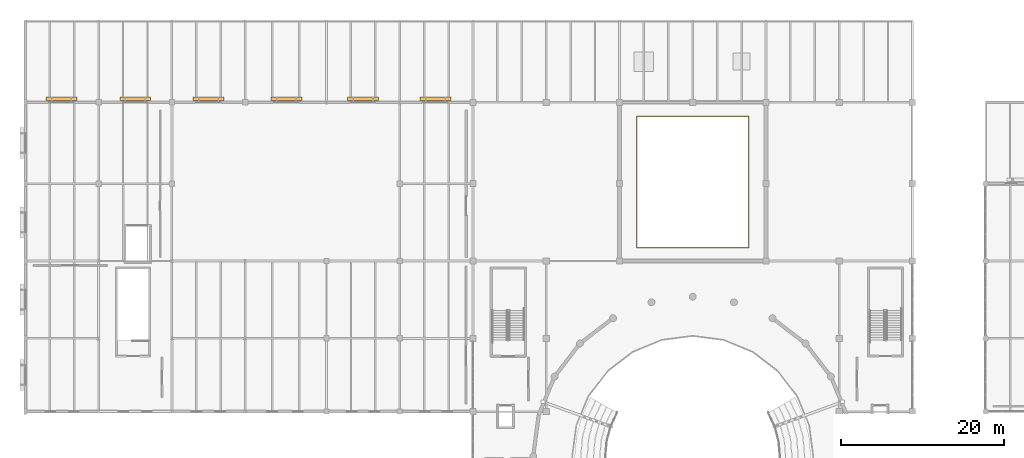
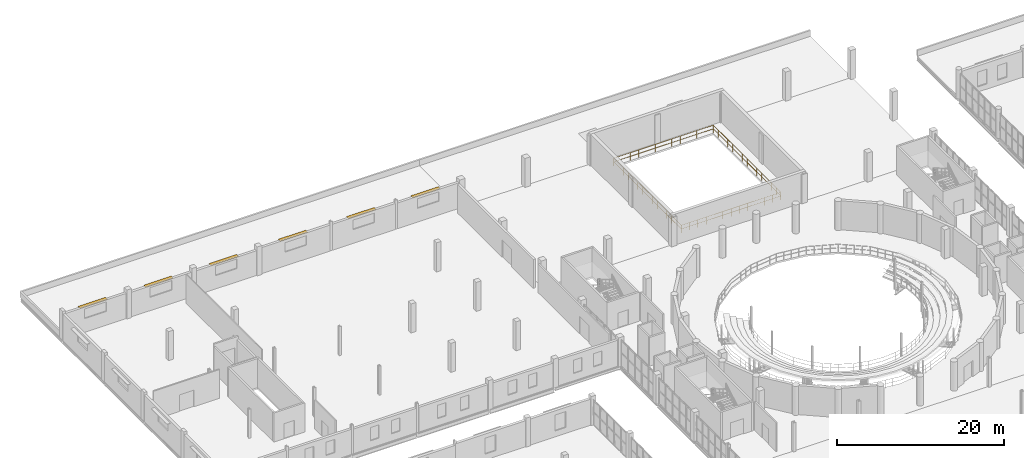
# One storey, part 82 of 85: 6 shading devices, 1 railing.
"""IFC4 building model written with IfcOpenShell, lengths in metres."""

import ifcopenshell
import ifcopenshell.guid

model = None  # the IFC model being written
_history = None  # IfcOwnerHistory: only IFC2X3 demands one
_inside = {}  # id of a spatial element -> (the spatial element, [elements in it])
_under = {}  # id of a project, library or spatial element -> (it, [spatial elements below it])
_declared = {}  # id of a project -> (the project, [libraries it declares])
_typed = {}  # id of a type object -> (the type object, [elements of that type])
_made_of = {}  # id of a material, layer set ... -> (it, [elements and type objects made of it])


def new_model(schema):
    """Start an empty IFC model of exactly this schema.

    Asked for "IFC4X3", IfcOpenShell would pick the latest addendum, in which some entities
    have other attributes; the version numbers below select the first issue.
    IFC2X3 requires an IfcOwnerHistory on every rooted entity: one is made here for all.
    """
    global model, _history
    if schema == "IFC4X3":
        model = ifcopenshell.file(schema_version=(4, 3, 0, 0))
    else:
        model = ifcopenshell.file(schema=schema)
    _inside.clear()
    _under.clear()
    _declared.clear()
    _typed.clear()
    _made_of.clear()
    _history = None
    if model.schema == "IFC2X3":
        org = make("IfcOrganization", Name="unknown")
        user = make(
            "IfcPersonAndOrganization",
            ThePerson=make("IfcPerson", FamilyName="unknown"),
            TheOrganization=org,
        )
        app = make(
            "IfcApplication",
            ApplicationDeveloper=org,
            Version="unknown",
            ApplicationFullName="unknown",
            ApplicationIdentifier="unknown",
        )
        _history = make(
            "IfcOwnerHistory",
            OwningUser=user,
            OwningApplication=app,
            ChangeAction="ADDED",
            CreationDate=0,
        )
    return model


def make(cls, **values):
    """One entity of the class cls with the attributes given. An attribute that is None is left unset."""
    return model.create_entity(
        cls, **{name: value for name, value in values.items() if value is not None}
    )


def rooted(cls, **values):
    """An entity with a GlobalId (a new one), such as an element, a storey or a relation."""
    return make(cls, GlobalId=ifcopenshell.guid.new(), OwnerHistory=_history, **values)


def si_unit(unit_type, name, prefix=None):
    """IfcSIUnit, for example si_unit("LENGTHUNIT", "METRE", prefix="MILLI")."""
    return make("IfcSIUnit", UnitType=unit_type, Prefix=prefix, Name=name)


def assignment(units):
    """IfcUnitAssignment: the units of a project."""
    return None if units is None else make("IfcUnitAssignment", Units=units)


def point(xyz):
    """IfcCartesianPoint."""
    return None if xyz is None else make("IfcCartesianPoint", Coordinates=xyz)


def direction(xyz):
    """IfcDirection."""
    return None if xyz is None else make("IfcDirection", DirectionRatios=xyz)


def frame(location, z_axis=None, x_axis=None):
    """IfcAxis2Placement3D, a coordinate frame: its origin and axes. An axis left out is left unset."""
    return make(
        "IfcAxis2Placement3D",
        Location=point(location),
        Axis=direction(z_axis),
        RefDirection=direction(x_axis),
    )


def frame_2d(location, x_axis=None):
    """IfcAxis2Placement2D, a coordinate frame in the plane: its origin and x axis."""
    return make(
        "IfcAxis2Placement2D", Location=point(location), RefDirection=direction(x_axis)
    )


def origin():
    """The frame at (0, 0, 0) with its axes left unset."""
    return frame((0.0, 0.0, 0.0))


def origin_2d():
    """The frame at (0, 0) in the plane with its x axis left unset."""
    return frame_2d((0.0, 0.0))


def place(relative_to, where):
    """IfcLocalPlacement: puts the frame where relative to a parent placement (None: the world)."""
    return make(
        "IfcLocalPlacement", PlacementRelTo=relative_to, RelativePlacement=where
    )


def context(
    kind, dimensions, precision=None, world=None, true_north=None, identifier=None
):
    """IfcGeometricRepresentationContext, for example the 3D "Model" context."""
    return make(
        "IfcGeometricRepresentationContext",
        ContextIdentifier=identifier,
        ContextType=kind,
        CoordinateSpaceDimension=dimensions,
        Precision=precision,
        WorldCoordinateSystem=world,
        TrueNorth=true_north,
    )


def subcontext(parent, identifier, kind, view, scale=None):
    """IfcGeometricRepresentationSubContext, for example "Body" below "Model"."""
    return make(
        "IfcGeometricRepresentationSubContext",
        ContextIdentifier=identifier,
        ContextType=kind,
        ParentContext=parent,
        TargetScale=scale,
        TargetView=view,
    )


def project(units=None, contexts=None):
    """IfcProject with its units and contexts."""
    return rooted(
        "IfcProject",
        Name="project",
        RepresentationContexts=contexts,
        UnitsInContext=assignment(units),
    )


def spatial(cls, under=None, at=None, **own):
    """A site, building, storey or space (cls), placed at a placement, below another one or the project."""
    s = rooted(cls, ObjectPlacement=at, **own)
    if under is not None:
        _under.setdefault(under.id(), (under, []))[1].append(s)
    return s


def profile(cls, at=None, kind="AREA", **sizes):
    """A parametric profile (cls). Its sizes go by their IFC names, for example OverallWidth=200.0."""
    return make(cls, ProfileType=kind, Position=at, **sizes)


def rectangle(**sizes):
    """IfcRectangleProfileDef."""
    return profile("IfcRectangleProfileDef", **sizes)


def circle(**sizes):
    """IfcCircleProfileDef."""
    return profile("IfcCircleProfileDef", **sizes)


def extrude(swept, where, along, depth):
    """IfcExtrudedAreaSolid: the profile swept, set in the frame where, extruded along a direction by depth."""
    return make(
        "IfcExtrudedAreaSolid",
        SweptArea=swept,
        Position=where,
        ExtrudedDirection=direction(along),
        Depth=depth,
    )


def shape(context_of_items, identifier, shape_type, items):
    """IfcShapeRepresentation: the items that make up one representation, for example the "Body"."""
    return make(
        "IfcShapeRepresentation",
        ContextOfItems=context_of_items,
        RepresentationIdentifier=identifier,
        RepresentationType=shape_type,
        Items=items,
    )


def material(Name=None, Category=None):
    """IfcMaterial."""
    return make("IfcMaterial", Name=Name, Category=Category)


def layer(
    of_material, thickness, ventilated=None, Name=None, Category=None, Priority=None
):
    """IfcMaterialLayer: one layer of a wall or slab, of a material (None: an air gap)."""
    return make(
        "IfcMaterialLayer",
        Material=of_material,
        LayerThickness=thickness,
        IsVentilated=ventilated,
        Name=Name,
        Category=Category,
        Priority=Priority,
    )


def layer_set(layers, Name=None):
    """IfcMaterialLayerSet."""
    return make("IfcMaterialLayerSet", MaterialLayers=layers, LayerSetName=Name)


def made_of(thing, what):
    """Note that an element or type object is made of a material, layer set ...; save() writes the relation."""
    if what is not None:
        _made_of.setdefault(what.id(), (what, []))[1].append(thing)
    return thing


def type_object(cls, material=None, **own):
    """A type object (cls), such as IfcWallType, which elements share."""
    return made_of(rooted(cls, **own), material)


def element(
    cls,
    number,
    at=None,
    inside=None,
    cuts=None,
    type_object=None,
    material=None,
    context=None,
    identifier="Body",
    shape_type=None,
    held_by="IfcProductDefinitionShape",
    body=None,
    shapes=None,
    **own,
):
    """One element of the class cls, such as IfcWall. Its Tag is "e" and its number.

    at: its placement. inside: the storey or other place that contains it. cuts: it is an
    opening in that element (IfcRelVoidsElement). A single representation is given by context,
    identifier, shape_type and body (its items); several are given by shapes. held_by: the class
    of the entity that holds the representations. save() writes the other relations.
    """
    e = rooted(cls, Tag="e%d" % number, ObjectPlacement=at, **own)
    if body is not None:
        shapes = [shape(context, identifier, shape_type, body)]
    if shapes is not None:
        e.Representation = make(held_by, Representations=shapes)
    if inside is not None:
        _inside.setdefault(inside.id(), (inside, []))[1].append(e)
    if cuts is not None:
        rooted(
            "IfcRelVoidsElement", RelatingBuildingElement=cuts, RelatedOpeningElement=e
        )
    if type_object is not None:
        _typed.setdefault(type_object.id(), (type_object, []))[1].append(e)
    return made_of(e, material)


def aggregate(whole, parts):
    """IfcRelAggregates: a whole, such as a stair, and the parts it consists of."""
    return rooted("IfcRelAggregates", RelatingObject=whole, RelatedObjects=parts)


def save(model, path):
    """Write the relations noted so far, then the file.

    IfcRelAggregates (storeys below a building ...), IfcRelContainedInSpatialStructure (elements
    in a storey), IfcRelDefinesByType, IfcRelAssociatesMaterial and IfcRelDeclares: one each for
    every whole, place, type object, material and project.
    """
    for whole, parts in _under.values():
        aggregate(whole, parts)
    for where, things in _inside.values():
        rooted(
            "IfcRelContainedInSpatialStructure",
            RelatedElements=things,
            RelatingStructure=where,
        )
    for kind, things in _typed.values():
        rooted("IfcRelDefinesByType", RelatedObjects=things, RelatingType=kind)
    for what, things in _made_of.values():
        rooted("IfcRelAssociatesMaterial", RelatedObjects=things, RelatingMaterial=what)
    for by, libraries in _declared.values():
        rooted("IfcRelDeclares", RelatingContext=by, RelatedDefinitions=libraries)
    model.write(path)


model = new_model("IFC4")

# Units and contexts
model_context = context("Model", 3, precision=1e-05, world=origin(), true_north=direction((0.0, 1.0)))
body_context = subcontext(model_context, "Body", "Model", "MODEL_VIEW")
ifc_project = project(units=[si_unit("LENGTHUNIT", "METRE"), si_unit("AREAUNIT", "SQUARE_METRE"), si_unit("VOLUMEUNIT", "CUBIC_METRE"), si_unit("PLANEANGLEUNIT", "RADIAN"), si_unit("MASSUNIT", "GRAM", prefix="KILO")], contexts=[model_context])

# Site, building, storey
site_placement = place(None, origin())
site = spatial("IfcSite", under=ifc_project, at=site_placement, CompositionType="ELEMENT")
building_placement = place(site_placement, origin())
building = spatial("IfcBuilding", under=site, at=building_placement, Name="Marnock Terrace Opera House", CompositionType="ELEMENT")
storey_placement = place(building_placement, frame((0.0, 0.0, 10.199951171875)))
storey = spatial("IfcBuildingStorey", under=building, at=storey_placement, Name="L02", CompositionType="ELEMENT", Elevation=10.199951171875)

# Railing
ifc_material_1 = material(Name="Architectural bronze balustrade")
railing_type = type_object("IfcRailingType", Name="RL-ATRIUM-1120", PredefinedType="BALUSTRADE", material=ifc_material_1)
railing_placement = place(storey_placement, frame((75.1201171875, 86.1201171875, 0.0)))
element("IfcRailing", 1, at=railing_placement, inside=storey, type_object=railing_type, Name="L02 floor opening balustrade FLY-VOID", PredefinedType="BALUSTRADE", context=body_context, shape_type="SweptSolid", body=[
    extrude(circle(Radius=0.02392578125, at=origin_2d()), frame((0.0, 0.0, 1.09619140625), z_axis=(1.0, 0.0, 0.0), x_axis=(0.0, 1.0, 0.0)), (0.0, 0.0, 1.0), 13.759765625),
    extrude(circle(Radius=0.02392578125, at=origin_2d()), frame((0.0, 0.0, 0.56005859375), z_axis=(1.0, 0.0, 0.0), x_axis=(0.0, 1.0, 0.0)), (0.0, 0.0, 1.0), 13.759765625),
    extrude(circle(Radius=0.02392578125, at=origin_2d()), frame((13.759765625, 0.0, 1.09619140625), z_axis=(0.0, 1.0, 0.0), x_axis=(-1.0, 0.0, 0.0)), (0.0, 0.0, 1.0), 16.159912109375),
    extrude(circle(Radius=0.02392578125, at=origin_2d()), frame((13.759765625, 0.0, 0.56005859375), z_axis=(0.0, 1.0, 0.0), x_axis=(-1.0, 0.0, 0.0)), (0.0, 0.0, 1.0), 16.159912109375),
    extrude(circle(Radius=0.02392578125, at=origin_2d()), frame((13.759765625, 16.159912109375, 1.09619140625), z_axis=(-1.0, 0.0, 0.0), x_axis=(0.0, -1.0, 0.0)), (0.0, 0.0, 1.0), 13.759765625),
    extrude(circle(Radius=0.02392578125, at=origin_2d()), frame((13.759765625, 16.159912109375, 0.56005859375), z_axis=(-1.0, 0.0, 0.0), x_axis=(0.0, -1.0, 0.0)), (0.0, 0.0, 1.0), 13.759765625),
    extrude(circle(Radius=0.02392578125, at=origin_2d()), frame((0.0, 16.159912109375, 1.09619140625), z_axis=(0.0, -1.0, 0.0), x_axis=(1.0, 0.0, 0.0)), (0.0, 0.0, 1.0), 16.159912109375),
    extrude(circle(Radius=0.02392578125, at=origin_2d()), frame((0.0, 16.159912109375, 0.56005859375), z_axis=(0.0, -1.0, 0.0), x_axis=(1.0, 0.0, 0.0)), (0.0, 0.0, 1.0), 16.159912109375),
    extrude(circle(Radius=0.02099609375, at=origin_2d()), origin(), (0.0, 0.0, 1.0), 1.072021484375),
    extrude(circle(Radius=0.02099609375, at=origin_2d()), frame((1.146728515625, 0.0, 0.0)), (0.0, 0.0, 1.0), 1.072021484375),
    extrude(circle(Radius=0.02099609375, at=origin_2d()), frame((2.293212890625, 0.0, 0.0)), (0.0, 0.0, 1.0), 1.072021484375),
    extrude(circle(Radius=0.02099609375, at=origin_2d()), frame((3.43994140625, 0.0, 0.0)), (0.0, 0.0, 1.0), 1.072021484375),
    extrude(circle(Radius=0.02099609375, at=origin_2d()), frame((4.586669921875, 0.0, 0.0)), (0.0, 0.0, 1.0), 1.072021484375),
    extrude(circle(Radius=0.02099609375, at=origin_2d()), frame((5.733154296875, 0.0, 0.0)), (0.0, 0.0, 1.0), 1.072021484375),
    extrude(circle(Radius=0.02099609375, at=origin_2d()), frame((6.8798828125, 0.0, 0.0)), (0.0, 0.0, 1.0), 1.072021484375),
    extrude(circle(Radius=0.02099609375, at=origin_2d()), frame((8.026611328125, 0.0, 0.0)), (0.0, 0.0, 1.0), 1.072021484375),
    extrude(circle(Radius=0.02099609375, at=origin_2d()), frame((9.173095703125, 0.0, 0.0)), (0.0, 0.0, 1.0), 1.072021484375),
    extrude(circle(Radius=0.02099609375, at=origin_2d()), frame((10.31982421875, 0.0, 0.0)), (0.0, 0.0, 1.0), 1.072021484375),
    extrude(circle(Radius=0.02099609375, at=origin_2d()), frame((11.466552734375, 0.0, 0.0)), (0.0, 0.0, 1.0), 1.072021484375),
    extrude(circle(Radius=0.02099609375, at=origin_2d()), frame((12.613037109375, 0.0, 0.0)), (0.0, 0.0, 1.0), 1.072021484375),
    extrude(circle(Radius=0.02099609375, at=origin_2d()), frame((13.759765625, 0.0, 0.0)), (0.0, 0.0, 1.0), 1.072021484375),
    extrude(circle(Radius=0.02099609375, at=origin_2d()), frame((13.759765625, 1.154296875, 0.0)), (0.0, 0.0, 1.0), 1.072021484375),
    extrude(circle(Radius=0.02099609375, at=origin_2d()), frame((13.759765625, 2.30859375, 0.0)), (0.0, 0.0, 1.0), 1.072021484375),
    extrude(circle(Radius=0.02099609375, at=origin_2d()), frame((13.759765625, 3.462890625, 0.0)), (0.0, 0.0, 1.0), 1.072021484375),
    extrude(circle(Radius=0.02099609375, at=origin_2d()), frame((13.759765625, 4.6171875, 0.0)), (0.0, 0.0, 1.0), 1.072021484375),
    extrude(circle(Radius=0.02099609375, at=origin_2d()), frame((13.759765625, 5.771484375, 0.0)), (0.0, 0.0, 1.0), 1.072021484375),
    extrude(circle(Radius=0.02099609375, at=origin_2d()), frame((13.759765625, 6.92578125, 0.0)), (0.0, 0.0, 1.0), 1.072021484375),
    extrude(circle(Radius=0.02099609375, at=origin_2d()), frame((13.759765625, 8.080078125, 0.0)), (0.0, 0.0, 1.0), 1.072021484375),
    extrude(circle(Radius=0.02099609375, at=origin_2d()), frame((13.759765625, 9.234130859375, 0.0)), (0.0, 0.0, 1.0), 1.072021484375),
    extrude(circle(Radius=0.02099609375, at=origin_2d()), frame((13.759765625, 10.388427734375, 0.0)), (0.0, 0.0, 1.0), 1.072021484375),
    extrude(circle(Radius=0.02099609375, at=origin_2d()), frame((13.759765625, 11.542724609375, 0.0)), (0.0, 0.0, 1.0), 1.072021484375),
    extrude(circle(Radius=0.02099609375, at=origin_2d()), frame((13.759765625, 12.697021484375, 0.0)), (0.0, 0.0, 1.0), 1.072021484375),
    extrude(circle(Radius=0.02099609375, at=origin_2d()), frame((13.759765625, 13.851318359375, 0.0)), (0.0, 0.0, 1.0), 1.072021484375),
    extrude(circle(Radius=0.02099609375, at=origin_2d()), frame((13.759765625, 15.005615234375, 0.0)), (0.0, 0.0, 1.0), 1.072021484375),
    extrude(circle(Radius=0.02099609375, at=origin_2d()), frame((13.759765625, 16.159912109375, 0.0)), (0.0, 0.0, 1.0), 1.072021484375),
    extrude(circle(Radius=0.02099609375, at=origin_2d()), frame((12.613037109375, 16.159912109375, 0.0)), (0.0, 0.0, 1.0), 1.072021484375),
    extrude(circle(Radius=0.02099609375, at=origin_2d()), frame((11.466552734375, 16.159912109375, 0.0)), (0.0, 0.0, 1.0), 1.072021484375),
    extrude(circle(Radius=0.02099609375, at=origin_2d()), frame((10.31982421875, 16.159912109375, 0.0)), (0.0, 0.0, 1.0), 1.072021484375),
    extrude(circle(Radius=0.02099609375, at=origin_2d()), frame((9.173095703125, 16.159912109375, 0.0)), (0.0, 0.0, 1.0), 1.072021484375),
    extrude(circle(Radius=0.02099609375, at=origin_2d()), frame((8.026611328125, 16.159912109375, 0.0)), (0.0, 0.0, 1.0), 1.072021484375),
    extrude(circle(Radius=0.02099609375, at=origin_2d()), frame((6.8798828125, 16.159912109375, 0.0)), (0.0, 0.0, 1.0), 1.072021484375),
    extrude(circle(Radius=0.02099609375, at=origin_2d()), frame((5.733154296875, 16.159912109375, 0.0)), (0.0, 0.0, 1.0), 1.072021484375),
    extrude(circle(Radius=0.02099609375, at=origin_2d()), frame((4.586669921875, 16.159912109375, 0.0)), (0.0, 0.0, 1.0), 1.072021484375),
    extrude(circle(Radius=0.02099609375, at=origin_2d()), frame((3.43994140625, 16.159912109375, 0.0)), (0.0, 0.0, 1.0), 1.072021484375),
    extrude(circle(Radius=0.02099609375, at=origin_2d()), frame((2.293212890625, 16.159912109375, 0.0)), (0.0, 0.0, 1.0), 1.072021484375),
    extrude(circle(Radius=0.02099609375, at=origin_2d()), frame((1.146728515625, 16.159912109375, 0.0)), (0.0, 0.0, 1.0), 1.072021484375),
    extrude(circle(Radius=0.02099609375, at=origin_2d()), frame((0.0, 16.159912109375, 0.0)), (0.0, 0.0, 1.0), 1.072021484375),
    extrude(circle(Radius=0.02099609375, at=origin_2d()), frame((0.0, 15.005615234375, 0.0)), (0.0, 0.0, 1.0), 1.072021484375),
    extrude(circle(Radius=0.02099609375, at=origin_2d()), frame((0.0, 13.851318359375, 0.0)), (0.0, 0.0, 1.0), 1.072021484375),
    extrude(circle(Radius=0.02099609375, at=origin_2d()), frame((0.0, 12.697021484375, 0.0)), (0.0, 0.0, 1.0), 1.072021484375),
    extrude(circle(Radius=0.02099609375, at=origin_2d()), frame((0.0, 11.542724609375, 0.0)), (0.0, 0.0, 1.0), 1.072021484375),
    extrude(circle(Radius=0.02099609375, at=origin_2d()), frame((0.0, 10.388427734375, 0.0)), (0.0, 0.0, 1.0), 1.072021484375),
    extrude(circle(Radius=0.02099609375, at=origin_2d()), frame((0.0, 9.234130859375, 0.0)), (0.0, 0.0, 1.0), 1.072021484375),
    extrude(circle(Radius=0.02099609375, at=origin_2d()), frame((0.0, 8.080078125, 0.0)), (0.0, 0.0, 1.0), 1.072021484375),
    extrude(circle(Radius=0.02099609375, at=origin_2d()), frame((0.0, 6.92578125, 0.0)), (0.0, 0.0, 1.0), 1.072021484375),
    extrude(circle(Radius=0.02099609375, at=origin_2d()), frame((0.0, 5.771484375, 0.0)), (0.0, 0.0, 1.0), 1.072021484375),
    extrude(circle(Radius=0.02099609375, at=origin_2d()), frame((0.0, 4.6171875, 0.0)), (0.0, 0.0, 1.0), 1.072021484375),
    extrude(circle(Radius=0.02099609375, at=origin_2d()), frame((0.0, 3.462890625, 0.0)), (0.0, 0.0, 1.0), 1.072021484375),
    extrude(circle(Radius=0.02099609375, at=origin_2d()), frame((0.0, 2.30859375, 0.0)), (0.0, 0.0, 1.0), 1.072021484375),
    extrude(circle(Radius=0.02099609375, at=origin_2d()), frame((0.0, 1.154296875, 0.0)), (0.0, 0.0, 1.0), 1.072021484375),
])

# Shading devices
ifc_material_2 = material(Name="Architectural cast bronze")
ifc_layer = layer(ifc_material_2, 0.054931640625)
ifc_layer_set = layer_set([ifc_layer], Name="Architectural cast bronze")
shading_device_type = type_object("IfcShadingDeviceType", Name="SHD-LOUVRE-3800", PredefinedType="JALOUSIE", material=ifc_layer_set)
for number, where, z_axis, x_axis, name in (
    (2, (4.4375, 104.43994140625, 3.36962890625), (0.0, 0.0, 1.0), (1.0, 0.0, 0.0), "Adelaide sun-control bronze brise-soleil EW-V4N-L02-1"),
    (3, (13.5, 104.43994140625, 3.29541015625), (0.0, 0.0, 1.0), (1.0, 0.0, 0.0), "Adelaide sun-control bronze brise-soleil EW-V4N-L02-2"),
    (4, (22.5, 104.43994140625, 3.291015625), (0.0, 0.0, 1.0), (1.0, 0.0, 0.0), "Adelaide sun-control bronze brise-soleil EW-V4N-L02-3"),
    (5, (32.085693359375, 104.43994140625, 3.5), (0.0, 0.0, 1.0), (1.0, 0.0, 0.0), "Adelaide sun-control bronze brise-soleil EW-V4N-L02-4"),
    (6, (41.5, 104.43994140625, 3.5), (0.0, 0.0, 1.0), (1.0, 0.0, 0.0), "Adelaide sun-control bronze brise-soleil EW-V4N-L02-5"),
    (7, (50.389404296875, 104.43994140625, 3.4423828125), (0.0, 0.0, 1.0), (1.0, 0.0, 0.0), "Adelaide sun-control bronze brise-soleil EW-V4N-L02-6"),
):
    element("IfcShadingDevice", number, at=place(storey_placement, frame(where, z_axis=z_axis, x_axis=x_axis)), inside=storey, type_object=shading_device_type, Name=name, PredefinedType="JALOUSIE", context=body_context, shape_type="SweptSolid", body=[
        extrude(rectangle(XDim=3.800048828125, YDim=0.449951171875, at=origin_2d()), origin(), (0.0, 0.0, 1.0), 0.054931640625),
    ])

save(model, "model.ifc")
